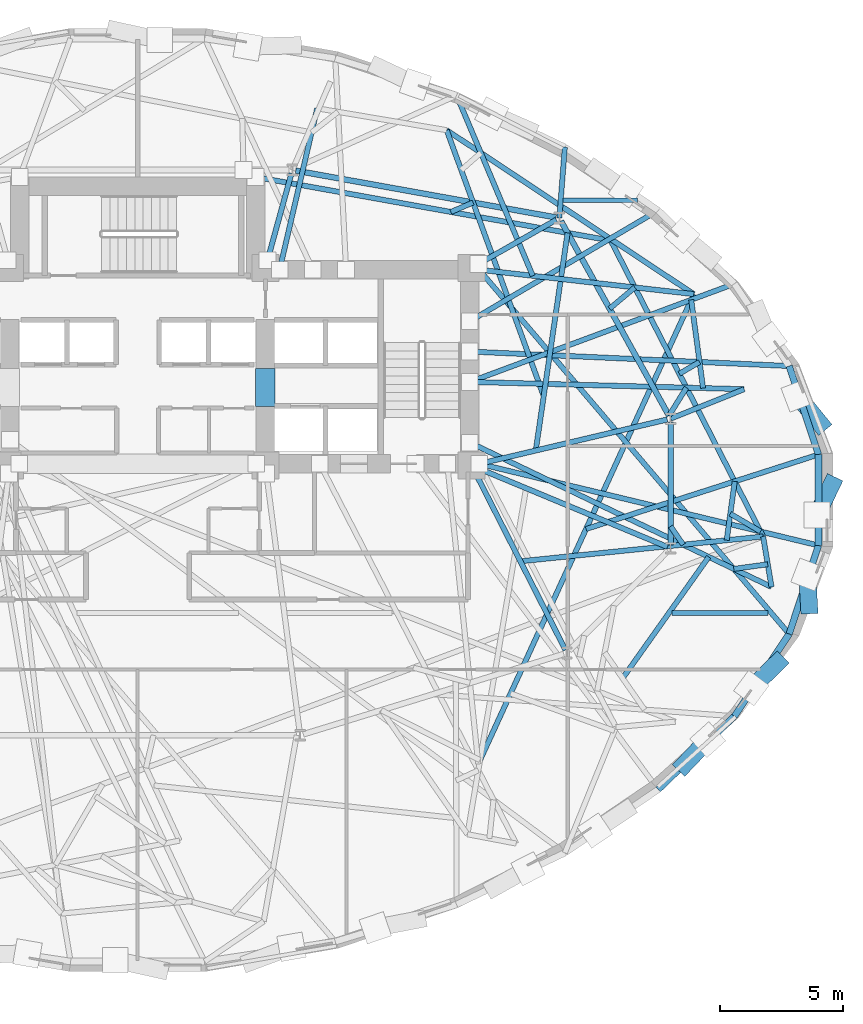
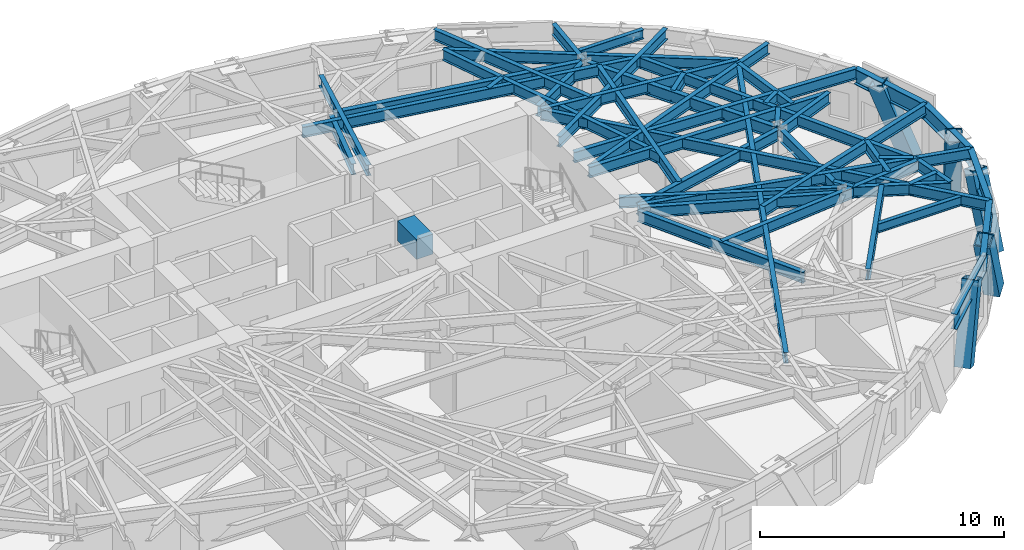
# One storey, part 5 of 17: 47 beams, 5 members.
"""IFC4 building model written with IfcOpenShell, lengths in metres."""

import ifcopenshell
import ifcopenshell.guid

model = None  # the IFC model being written
_history = None  # IfcOwnerHistory: only IFC2X3 demands one
_inside = {}  # id of a spatial element -> (the spatial element, [elements in it])
_under = {}  # id of a project, library or spatial element -> (it, [spatial elements below it])
_declared = {}  # id of a project -> (the project, [libraries it declares])
_typed = {}  # id of a type object -> (the type object, [elements of that type])
_made_of = {}  # id of a material, layer set ... -> (it, [elements and type objects made of it])


def new_model(schema):
    """Start an empty IFC model of exactly this schema.

    Asked for "IFC4X3", IfcOpenShell would pick the latest addendum, in which some entities
    have other attributes; the version numbers below select the first issue.
    IFC2X3 requires an IfcOwnerHistory on every rooted entity: one is made here for all.
    """
    global model, _history
    if schema == "IFC4X3":
        model = ifcopenshell.file(schema_version=(4, 3, 0, 0))
    else:
        model = ifcopenshell.file(schema=schema)
    _inside.clear()
    _under.clear()
    _declared.clear()
    _typed.clear()
    _made_of.clear()
    _history = None
    if model.schema == "IFC2X3":
        org = make("IfcOrganization", Name="unknown")
        user = make(
            "IfcPersonAndOrganization",
            ThePerson=make("IfcPerson", FamilyName="unknown"),
            TheOrganization=org,
        )
        app = make(
            "IfcApplication",
            ApplicationDeveloper=org,
            Version="unknown",
            ApplicationFullName="unknown",
            ApplicationIdentifier="unknown",
        )
        _history = make(
            "IfcOwnerHistory",
            OwningUser=user,
            OwningApplication=app,
            ChangeAction="ADDED",
            CreationDate=0,
        )
    return model


def make(cls, **values):
    """One entity of the class cls with the attributes given. An attribute that is None is left unset."""
    return model.create_entity(
        cls, **{name: value for name, value in values.items() if value is not None}
    )


def rooted(cls, **values):
    """An entity with a GlobalId (a new one), such as an element, a storey or a relation."""
    return make(cls, GlobalId=ifcopenshell.guid.new(), OwnerHistory=_history, **values)


def si_unit(unit_type, name, prefix=None):
    """IfcSIUnit, for example si_unit("LENGTHUNIT", "METRE", prefix="MILLI")."""
    return make("IfcSIUnit", UnitType=unit_type, Prefix=prefix, Name=name)


def assignment(units):
    """IfcUnitAssignment: the units of a project."""
    return None if units is None else make("IfcUnitAssignment", Units=units)


def point(xyz):
    """IfcCartesianPoint."""
    return None if xyz is None else make("IfcCartesianPoint", Coordinates=xyz)


def direction(xyz):
    """IfcDirection."""
    return None if xyz is None else make("IfcDirection", DirectionRatios=xyz)


def frame(location, z_axis=None, x_axis=None):
    """IfcAxis2Placement3D, a coordinate frame: its origin and axes. An axis left out is left unset."""
    return make(
        "IfcAxis2Placement3D",
        Location=point(location),
        Axis=direction(z_axis),
        RefDirection=direction(x_axis),
    )


def frame_2d(location, x_axis=None):
    """IfcAxis2Placement2D, a coordinate frame in the plane: its origin and x axis."""
    return make(
        "IfcAxis2Placement2D", Location=point(location), RefDirection=direction(x_axis)
    )


def origin():
    """The frame at (0, 0, 0) with its axes left unset."""
    return frame((0.0, 0.0, 0.0))


def origin_2d():
    """The frame at (0, 0) in the plane with its x axis left unset."""
    return frame_2d((0.0, 0.0))


def place(relative_to, where):
    """IfcLocalPlacement: puts the frame where relative to a parent placement (None: the world)."""
    return make(
        "IfcLocalPlacement", PlacementRelTo=relative_to, RelativePlacement=where
    )


def context(
    kind, dimensions, precision=None, world=None, true_north=None, identifier=None
):
    """IfcGeometricRepresentationContext, for example the 3D "Model" context."""
    return make(
        "IfcGeometricRepresentationContext",
        ContextIdentifier=identifier,
        ContextType=kind,
        CoordinateSpaceDimension=dimensions,
        Precision=precision,
        WorldCoordinateSystem=world,
        TrueNorth=true_north,
    )


def subcontext(parent, identifier, kind, view, scale=None):
    """IfcGeometricRepresentationSubContext, for example "Body" below "Model"."""
    return make(
        "IfcGeometricRepresentationSubContext",
        ContextIdentifier=identifier,
        ContextType=kind,
        ParentContext=parent,
        TargetScale=scale,
        TargetView=view,
    )


def project(units=None, contexts=None):
    """IfcProject with its units and contexts."""
    return rooted(
        "IfcProject",
        Name="project",
        RepresentationContexts=contexts,
        UnitsInContext=assignment(units),
    )


def spatial(cls, under=None, at=None, **own):
    """A site, building, storey or space (cls), placed at a placement, below another one or the project."""
    s = rooted(cls, ObjectPlacement=at, **own)
    if under is not None:
        _under.setdefault(under.id(), (under, []))[1].append(s)
    return s


def profile(cls, at=None, kind="AREA", **sizes):
    """A parametric profile (cls). Its sizes go by their IFC names, for example OverallWidth=200.0."""
    return make(cls, ProfileType=kind, Position=at, **sizes)


def rectangle(**sizes):
    """IfcRectangleProfileDef."""
    return profile("IfcRectangleProfileDef", **sizes)


def hollow_rectangle(**sizes):
    """IfcRectangleHollowProfileDef."""
    return profile("IfcRectangleHollowProfileDef", **sizes)


def i_section(**sizes):
    """IfcIShapeProfileDef."""
    return profile("IfcIShapeProfileDef", **sizes)


def extrude(swept, where, along, depth):
    """IfcExtrudedAreaSolid: the profile swept, set in the frame where, extruded along a direction by depth."""
    return make(
        "IfcExtrudedAreaSolid",
        SweptArea=swept,
        Position=where,
        ExtrudedDirection=direction(along),
        Depth=depth,
    )


def shape(context_of_items, identifier, shape_type, items):
    """IfcShapeRepresentation: the items that make up one representation, for example the "Body"."""
    return make(
        "IfcShapeRepresentation",
        ContextOfItems=context_of_items,
        RepresentationIdentifier=identifier,
        RepresentationType=shape_type,
        Items=items,
    )


def material(Name=None, Category=None):
    """IfcMaterial."""
    return make("IfcMaterial", Name=Name, Category=Category)


def material_profile(
    of_material, cross_section, Name=None, Category=None, Priority=None
):
    """IfcMaterialProfile: a cross section and its material."""
    return make(
        "IfcMaterialProfile",
        Name=Name,
        Material=of_material,
        Profile=cross_section,
        Priority=Priority,
        Category=Category,
    )


def profile_set(profiles, Name=None, composite=None):
    """IfcMaterialProfileSet."""
    return make(
        "IfcMaterialProfileSet",
        Name=Name,
        MaterialProfiles=profiles,
        CompositeProfile=composite,
    )


def made_of(thing, what):
    """Note that an element or type object is made of a material, layer set ...; save() writes the relation."""
    if what is not None:
        _made_of.setdefault(what.id(), (what, []))[1].append(thing)
    return thing


def type_object(cls, material=None, **own):
    """A type object (cls), such as IfcWallType, which elements share."""
    return made_of(rooted(cls, **own), material)


def element(
    cls,
    number,
    at=None,
    inside=None,
    cuts=None,
    type_object=None,
    material=None,
    context=None,
    identifier="Body",
    shape_type=None,
    held_by="IfcProductDefinitionShape",
    body=None,
    shapes=None,
    **own,
):
    """One element of the class cls, such as IfcWall. Its Tag is "e" and its number.

    at: its placement. inside: the storey or other place that contains it. cuts: it is an
    opening in that element (IfcRelVoidsElement). A single representation is given by context,
    identifier, shape_type and body (its items); several are given by shapes. held_by: the class
    of the entity that holds the representations. save() writes the other relations.
    """
    e = rooted(cls, Tag="e%d" % number, ObjectPlacement=at, **own)
    if body is not None:
        shapes = [shape(context, identifier, shape_type, body)]
    if shapes is not None:
        e.Representation = make(held_by, Representations=shapes)
    if inside is not None:
        _inside.setdefault(inside.id(), (inside, []))[1].append(e)
    if cuts is not None:
        rooted(
            "IfcRelVoidsElement", RelatingBuildingElement=cuts, RelatedOpeningElement=e
        )
    if type_object is not None:
        _typed.setdefault(type_object.id(), (type_object, []))[1].append(e)
    return made_of(e, material)


def aggregate(whole, parts):
    """IfcRelAggregates: a whole, such as a stair, and the parts it consists of."""
    return rooted("IfcRelAggregates", RelatingObject=whole, RelatedObjects=parts)


def save(model, path):
    """Write the relations noted so far, then the file.

    IfcRelAggregates (storeys below a building ...), IfcRelContainedInSpatialStructure (elements
    in a storey), IfcRelDefinesByType, IfcRelAssociatesMaterial and IfcRelDeclares: one each for
    every whole, place, type object, material and project.
    """
    for whole, parts in _under.values():
        aggregate(whole, parts)
    for where, things in _inside.values():
        rooted(
            "IfcRelContainedInSpatialStructure",
            RelatedElements=things,
            RelatingStructure=where,
        )
    for kind, things in _typed.values():
        rooted("IfcRelDefinesByType", RelatedObjects=things, RelatingType=kind)
    for what, things in _made_of.values():
        rooted("IfcRelAssociatesMaterial", RelatedObjects=things, RelatingMaterial=what)
    for by, libraries in _declared.values():
        rooted("IfcRelDeclares", RelatingContext=by, RelatedDefinitions=libraries)
    model.write(path)


model = new_model("IFC4")

# Units and contexts
model_context = context("Model", 3, precision=1e-05, world=origin(), true_north=direction((0.0, 1.0)))
body_context = subcontext(model_context, "Body", "Model", "MODEL_VIEW")
ifc_project = project(units=[si_unit("LENGTHUNIT", "METRE"), si_unit("AREAUNIT", "SQUARE_METRE"), si_unit("VOLUMEUNIT", "CUBIC_METRE"), si_unit("PLANEANGLEUNIT", "RADIAN"), si_unit("MASSUNIT", "GRAM", prefix="KILO")], contexts=[model_context])

# Site, building, storey
site_placement = place(None, origin())
site = spatial("IfcSite", under=ifc_project, at=site_placement, CompositionType="ELEMENT")
building_placement = place(site_placement, origin())
building = spatial("IfcBuilding", under=site, at=building_placement, Name="Keldmark Tower", CompositionType="ELEMENT")
storey_placement = place(building_placement, frame((0.0, 0.0, 96.60009765625)))
storey = spatial("IfcBuildingStorey", under=building, at=storey_placement, Name="L25", CompositionType="ELEMENT", Elevation=96.60009765625)

# Beams
ifc_material_1 = material(Name="Steel ASTM A992 Grade 50", Category="steel")
ifc_material_profile_1 = material_profile(ifc_material_1, i_section(OverallWidth=0.19091796875, OverallDepth=0.45703125, WebThickness=0.009033203125, FlangeThickness=0.014404296875, at=origin_2d()), Name="W18X50")
ifc_profile_set_1 = profile_set([ifc_material_profile_1], Name="Steel ASTM A992 Grade 50")
beam_type_1 = type_object("IfcBeamType", Name="Composite Floor Joist W18X50", PredefinedType="JOIST", material=ifc_profile_set_1)
beam_1_placement = place(storey_placement, frame((21.74658203125, -4.60009765625, 3.081298828125), z_axis=(1.0, 0.0, 0.0), x_axis=(0.0, 1.0, 0.0)))
element("IfcBeam", 1, at=beam_1_placement, inside=storey, type_object=beam_type_1, Name="L25 Composite Floor Joist J07", PredefinedType="JOIST", context=body_context, shape_type="SweptSolid", body=[
    extrude(i_section(OverallWidth=0.19091796875, OverallDepth=0.45703125, WebThickness=0.009033203125, FlangeThickness=0.014404296875, at=origin_2d()), origin(), (0.0, 0.0, 1.0), 3.92138671875),
])
beam_2_placement = place(storey_placement, frame((17.319091796875, 12.199951171875, 3.081298828125), z_axis=(1.0, 0.0, 0.0), x_axis=(0.0, 1.0, 0.0)))
element("IfcBeam", 2, at=beam_2_placement, inside=storey, type_object=beam_type_1, Name="L25 Composite Floor Joist J10", PredefinedType="JOIST", context=body_context, shape_type="SweptSolid", body=[
    extrude(i_section(OverallWidth=0.19091796875, OverallDepth=0.45703125, WebThickness=0.009033203125, FlangeThickness=0.014404296875, at=origin_2d()), origin(), (0.0, 0.0, 1.0), 3.036865234375),
])
ifc_material_2 = material(Name="Concrete C70/85", Category="concrete")
ifc_material_profile_2 = material_profile(ifc_material_2, rectangle(XDim=0.800048828125, YDim=1.0, at=origin_2d()), Name="RCB800X1000")
ifc_profile_set_2 = profile_set([ifc_material_profile_2], Name="Concrete C70/85")
beam_type_2 = type_object("IfcBeamType", Name="Core Coupling Beam RCB800X1000", PredefinedType="USERDEFINED", material=ifc_profile_set_2)
beam_3_placement = place(storey_placement, frame((5.199951171875, 3.800048828125, 2.809814453125), z_axis=(0.0, 1.0, 0.0), x_axis=(-1.0, 0.0, 0.0)))
element("IfcBeam", 3, at=beam_3_placement, inside=storey, type_object=beam_type_2, Name="L25 East Core Coupling Beam", ObjectType="COUPLING BEAM", PredefinedType="USERDEFINED", context=body_context, shape_type="SweptSolid", body=[
    extrude(rectangle(XDim=0.800048828125, YDim=1.0, at=origin_2d()), origin(), (0.0, 0.0, 1.0), 1.550048828125),
])

# Members
ifc_material_3 = material(Name="Steel ASTM A572 Grade 50", Category="steel")
ifc_material_profile_3 = material_profile(ifc_material_3, hollow_rectangle(XDim=0.699951171875, YDim=0.699951171875, WallThickness=0.054931640625, at=origin_2d()), Name="BOX700X700X55")
ifc_profile_set_3 = profile_set([ifc_material_profile_3], Name="Steel ASTM A572 Grade 50")
member_type = type_object("IfcMemberType", Name="Diagrid Zone 1 Brace BOX700X700X55", PredefinedType="BRACE", material=ifc_profile_set_3)
member_1_placement = place(storey_placement, frame((27.790771484375, 3.099853515625, -0.27001953125), z_axis=(-0.247255490472, 0.304948438249, 0.919712548811), x_axis=(-0.77675574872, -0.629801958421, 0.0)))
element("IfcMember", 4, at=member_1_placement, inside=storey, type_object=member_type, Name="L25 Perimeter Diagrid Brace 01A", PredefinedType="BRACE", context=body_context, shape_type="SweptSolid", body=[
    extrude(hollow_rectangle(XDim=0.699951171875, YDim=0.699951171875, WallThickness=0.054931640625, at=origin_2d()), origin(), (0.0, 0.0, 1.0), 3.761962890625),
])
member_2_placement = place(storey_placement, frame((22.24267578125, -10.779541015625, -0.27001953125), z_axis=(0.259558143664, 0.273023008331, 0.926330398389), x_axis=(-0.72475245975, 0.689009341074, 0.0)))
element("IfcMember", 5, at=member_2_placement, inside=storey, type_object=member_type, Name="L25 Perimeter Diagrid Brace 15A", PredefinedType="BRACE", context=body_context, shape_type="SweptSolid", body=[
    extrude(hollow_rectangle(XDim=0.699951171875, YDim=0.699951171875, WallThickness=0.054931640625, at=origin_2d()), origin(), (0.0, 0.0, 1.0), 3.735107421875),
])
member_3_placement = place(storey_placement, frame((26.052490234375, -6.617431640625, -0.27001953125), z_axis=(-0.283737637984, -0.276156614087, 0.918275817654), x_axis=(0.697468552971, -0.716615390301, 0.0)))
element("IfcMember", 6, at=member_3_placement, inside=storey, type_object=member_type, Name="L25 Perimeter Diagrid Brace 15B", PredefinedType="BRACE", context=body_context, shape_type="SweptSolid", body=[
    extrude(hollow_rectangle(XDim=0.699951171875, YDim=0.699951171875, WallThickness=0.054931640625, at=origin_2d()), origin(), (0.0, 0.0, 1.0), 3.767822265625),
])
member_4_placement = place(storey_placement, frame((27.330810546875, -4.3037109375, -0.27001953125), z_axis=(-0.019074582468, 0.34440218345, 0.93862841228), x_axis=(-0.998469791675, -0.055299865385, 0.0)))
element("IfcMember", 7, at=member_4_placement, inside=storey, type_object=member_type, Name="L25 Perimeter Diagrid Brace 16A", PredefinedType="BRACE", context=body_context, shape_type="SweptSolid", body=[
    extrude(hollow_rectangle(XDim=0.699951171875, YDim=0.699951171875, WallThickness=0.054931640625, at=origin_2d()), origin(), (0.0, 0.0, 1.0), 3.686279296875),
])
member_5_placement = place(storey_placement, frame((28.2529296875, 0.635986328125, -0.27001953125), z_axis=(-0.160209919925, -0.334638879777, 0.928627805797), x_axis=(0.901960796712, -0.431817925976, 0.0)))
element("IfcMember", 8, at=member_5_placement, inside=storey, type_object=member_type, Name="L25 Perimeter Diagrid Brace 16B", PredefinedType="BRACE", context=body_context, shape_type="SweptSolid", body=[
    extrude(hollow_rectangle(XDim=0.699951171875, YDim=0.699951171875, WallThickness=0.054931640625, at=origin_2d()), origin(), (0.0, 0.0, 1.0), 3.725830078125),
])

# Beams
ifc_material_4 = material(Name="Steel ASTM A992 Grade 50", Category="steel")
ifc_material_profile_4 = material_profile(ifc_material_4, i_section(OverallWidth=0.22900390625, OverallDepth=0.612060546875, WebThickness=0.011962890625, FlangeThickness=0.01953125, at=origin_2d()), Name="W24X84")
ifc_profile_set_4 = profile_set([ifc_material_profile_4], Name="Steel ASTM A992 Grade 50")
beam_type_3 = type_object("IfcBeamType", Name="Primary Floor Girder W24X84", PredefinedType="BEAM", material=ifc_profile_set_4)
beam_4_placement = place(storey_placement, frame((21.62890625, 3.432373046875, 3.00390625), z_axis=(-0.484951836703, 0.874540860154, 0.0), x_axis=(-0.874540860154, -0.484951836703, 0.0)))
element("IfcBeam", 9, at=beam_4_placement, inside=storey, type_object=beam_type_3, Name="L25 Floor Ring Girder FG-R01", PredefinedType="BEAM", context=body_context, shape_type="SweptSolid", body=[
    extrude(i_section(OverallWidth=0.22900390625, OverallDepth=0.612060546875, WebThickness=0.011962890625, FlangeThickness=0.01953125, at=origin_2d()), origin(), (0.0, 0.0, 1.0), 9.060302734375),
])
beam_5_placement = place(storey_placement, frame((17.029296875, 11.503173828125, 3.00390625), z_axis=(-0.984218266992, 0.176958760505, 0.0), x_axis=(-0.176958760505, -0.984218266992, 0.0)))
element("IfcBeam", 10, at=beam_5_placement, inside=storey, type_object=beam_type_3, Name="L25 Floor Ring Girder FG-R02", PredefinedType="BEAM", context=body_context, shape_type="SweptSolid", body=[
    extrude(i_section(OverallWidth=0.22900390625, OverallDepth=0.612060546875, WebThickness=0.011962890625, FlangeThickness=0.01953125, at=origin_2d()), origin(), (0.0, 0.0, 1.0), 10.7626953125),
])
beam_6_placement = place(storey_placement, frame((21.697021484375, -1.825927734375, 3.00390625), z_axis=(0.0, 1.0, 0.0), x_axis=(-1.0, 0.0, 0.0)))
element("IfcBeam", 11, at=beam_6_placement, inside=storey, type_object=beam_type_3, Name="L25 Floor Ring Girder FG-R12", PredefinedType="BEAM", context=body_context, shape_type="SweptSolid", body=[
    extrude(i_section(OverallWidth=0.22900390625, OverallDepth=0.612060546875, WebThickness=0.011962890625, FlangeThickness=0.01953125, at=origin_2d()), origin(), (0.0, 0.0, 1.0), 4.995849609375),
])
ifc_material_5 = material(Name="Steel ASTM A992 Grade 50", Category="steel")
ifc_material_profile_5 = material_profile(ifc_material_5, i_section(OverallWidth=0.2099609375, OverallDepth=0.537109375, WebThickness=0.010986328125, FlangeThickness=0.017333984375, at=origin_2d()), Name="W21X68")
ifc_profile_set_5 = profile_set([ifc_material_profile_5], Name="Steel ASTM A992 Grade 50")
beam_type_4 = type_object("IfcBeamType", Name="Radial Tie Girder W21X68", PredefinedType="BEAM", material=ifc_profile_set_5)
beam_7_placement = place(storey_placement, frame((16.206298828125, 2.014892578125, 3.04150390625), z_axis=(0.144668966659, 0.989480111011, 0.0), x_axis=(-0.989480111011, 0.144668966659, 0.0)))
element("IfcBeam", 12, at=beam_7_placement, inside=storey, type_object=beam_type_4, Name="L25 Framing Pin Header PH-001", PredefinedType="BEAM", context=body_context, shape_type="SweptSolid", body=[
    extrude(i_section(OverallWidth=0.2099609375, OverallDepth=0.537109375, WebThickness=0.010986328125, FlangeThickness=0.017333984375, at=origin_2d()), origin(), (0.0, 0.0, 1.0), 8.954345703125),
])
beam_8_placement = place(storey_placement, frame((4.800048828125, 13.14990234375, 3.04150390625), z_axis=(0.984336944595, -0.176297417749, 0.0), x_axis=(0.176297417749, 0.984336944595, 0.0)))
element("IfcBeam", 13, at=beam_8_placement, inside=storey, type_object=beam_type_4, Name="L25 Sub-Ring Step Girder STP1-M01", PredefinedType="BEAM", context=body_context, shape_type="SweptSolid", body=[
    extrude(i_section(OverallWidth=0.2099609375, OverallDepth=0.537109375, WebThickness=0.010986328125, FlangeThickness=0.017333984375, at=origin_2d()), origin(), (0.0, 0.0, 1.0), 14.688720703125),
])
beam_9_placement = place(storey_placement, frame((21.697021484375, -1.076416015625, 3.04150390625), z_axis=(0.566712846815, -0.823915377484, 0.0), x_axis=(0.823915377484, 0.566712846815, 0.0)))
element("IfcBeam", 14, at=beam_9_placement, inside=storey, type_object=beam_type_4, Name="L25 Framing Pin Header PH-007", PredefinedType="BEAM", context=body_context, shape_type="SweptSolid", body=[
    extrude(i_section(OverallWidth=0.2099609375, OverallDepth=0.537109375, WebThickness=0.010986328125, FlangeThickness=0.017333984375, at=origin_2d()), origin(), (0.0, 0.0, 1.0), 0.90087890625),
])
beam_10_placement = place(storey_placement, frame((15.57958984375, -2.4951171875, 3.04150390625), z_axis=(0.994834649081, 0.101508723705, 0.0), x_axis=(-0.101508723705, 0.994834649081, 0.0)))
element("IfcBeam", 15, at=beam_10_placement, inside=storey, type_object=beam_type_4, Name="L25 Sub-Ring Step Girder STP1-M12", PredefinedType="BEAM", context=body_context, shape_type="SweptSolid", body=[
    extrude(i_section(OverallWidth=0.2099609375, OverallDepth=0.537109375, WebThickness=0.010986328125, FlangeThickness=0.017333984375, at=origin_2d()), origin(), (0.0, 0.0, 1.0), 9.93310546875),
])
beam_11_placement = place(storey_placement, frame((25.46142578125, -1.48681640625, 3.04150390625), z_axis=(-0.457755076319, 0.889078337439, 0.0), x_axis=(-0.889078337439, -0.457755076319, 0.0)))
element("IfcBeam", 16, at=beam_11_placement, inside=storey, type_object=beam_type_4, Name="L25 Perimeter Collector Ring Beam CRG1-M12", PredefinedType="BEAM", context=body_context, shape_type="SweptSolid", body=[
    extrude(i_section(OverallWidth=0.2099609375, OverallDepth=0.537109375, WebThickness=0.010986328125, FlangeThickness=0.017333984375, at=origin_2d()), origin(), (0.0, 0.0, 1.0), 13.550048828125),
])
beam_12_placement = place(storey_placement, frame((19.21240234375, 7.790283203125, 3.04150390625), z_axis=(0.76581591472, 0.643059860947, 0.0), x_axis=(-0.643059860947, 0.76581591472, 0.0)))
element("IfcBeam", 17, at=beam_12_placement, inside=storey, type_object=beam_type_4, Name="L25 Framing Pin Header PH-008", PredefinedType="BEAM", context=body_context, shape_type="SweptSolid", body=[
    extrude(i_section(OverallWidth=0.2099609375, OverallDepth=0.537109375, WebThickness=0.010986328125, FlangeThickness=0.017333984375, at=origin_2d()), origin(), (0.0, 0.0, 1.0), 1.342529296875),
])
beam_13_placement = place(storey_placement, frame((13.89990234375, 9.375, 3.04150390625), z_axis=(0.993589889236, -0.113044823008, 0.0), x_axis=(0.113044823008, 0.993589889236, 0.0)))
element("IfcBeam", 18, at=beam_13_placement, inside=storey, type_object=beam_type_4, Name="L25 Sub-Ring Step Girder STP2-M01", PredefinedType="BEAM", context=body_context, shape_type="SweptSolid", body=[
    extrude(i_section(OverallWidth=0.2099609375, OverallDepth=0.537109375, WebThickness=0.010986328125, FlangeThickness=0.017333984375, at=origin_2d()), origin(), (0.0, 0.0, 1.0), 8.79638671875),
])
beam_14_placement = place(storey_placement, frame((12.752197265625, 11.7255859375, 3.04150390625), z_axis=(0.920286144386, 0.391245974357, 0.0), x_axis=(-0.391245974357, 0.920286144386, 0.0)))
element("IfcBeam", 19, at=beam_14_placement, inside=storey, type_object=beam_type_4, Name="L25 Framing Pin Header PH-009", PredefinedType="BEAM", context=body_context, shape_type="SweptSolid", body=[
    extrude(i_section(OverallWidth=0.2099609375, OverallDepth=0.537109375, WebThickness=0.010986328125, FlangeThickness=0.017333984375, at=origin_2d()), origin(), (0.0, 0.0, 1.0), 0.9814453125),
])
beam_15_placement = place(storey_placement, frame((16.530029296875, 4.22998046875, 3.04150390625), z_axis=(-0.342719452961, 0.939437798134, 0.0), x_axis=(-0.939437798134, -0.342719452961, 0.0)))
element("IfcBeam", 20, at=beam_15_placement, inside=storey, type_object=beam_type_4, Name="L25 Sub-Ring Step Girder STP2-M02", PredefinedType="BEAM", context=body_context, shape_type="SweptSolid", body=[
    extrude(i_section(OverallWidth=0.2099609375, OverallDepth=0.537109375, WebThickness=0.010986328125, FlangeThickness=0.017333984375, at=origin_2d()), origin(), (0.0, 0.0, 1.0), 11.521728515625),
])
beam_16_placement = place(storey_placement, frame((22.639892578125, 8.380615234375, 3.04150390625), z_axis=(-0.833286637713, 0.552841188234, 0.0), x_axis=(-0.552841188234, -0.833286637713, 0.0)))
element("IfcBeam", 21, at=beam_16_placement, inside=storey, type_object=beam_type_4, Name="L25 Perimeter Collector Ring Beam CRG2-M01", PredefinedType="BEAM", context=body_context, shape_type="SweptSolid", body=[
    extrude(i_section(OverallWidth=0.2099609375, OverallDepth=0.537109375, WebThickness=0.010986328125, FlangeThickness=0.017333984375, at=origin_2d()), origin(), (0.0, 0.0, 1.0), 12.071044921875),
])
beam_17_placement = place(storey_placement, frame((13.866455078125, -10.743896484375, 3.04150390625), z_axis=(0.416970317331, 0.908920103455, 0.0), x_axis=(-0.908920103455, 0.416970317331, 0.0)))
element("IfcBeam", 22, at=beam_17_placement, inside=storey, type_object=beam_type_4, Name="L25 Perimeter Collector Ring Beam CRG2-M11", PredefinedType="BEAM", context=body_context, shape_type="SweptSolid", body=[
    extrude(i_section(OverallWidth=0.2099609375, OverallDepth=0.537109375, WebThickness=0.010986328125, FlangeThickness=0.017333984375, at=origin_2d()), origin(), (0.0, 0.0, 1.0), 21.041015625),
])
beam_18_placement = place(storey_placement, frame((23.97900390625, -1.637939453125, 3.04150390625), z_axis=(0.135198813671, 0.990818490331, 0.0), x_axis=(-0.990818490331, 0.135198813671, 0.0)))
element("IfcBeam", 23, at=beam_18_placement, inside=storey, type_object=beam_type_4, Name="L25 Framing Pin Header PH-015", PredefinedType="BEAM", context=body_context, shape_type="SweptSolid", body=[
    extrude(i_section(OverallWidth=0.2099609375, OverallDepth=0.537109375, WebThickness=0.010986328125, FlangeThickness=0.017333984375, at=origin_2d()), origin(), (0.0, 0.0, 1.0), 2.41796875),
])
beam_19_placement = place(storey_placement, frame((18.253173828125, -1.181640625, 3.04150390625), z_axis=(0.952301970489, 0.305157266015, 0.0), x_axis=(-0.305157266015, 0.952301970489, 0.0)))
element("IfcBeam", 24, at=beam_19_placement, inside=storey, type_object=beam_type_4, Name="L25 Perimeter Radial Tie Girder RT-01", PredefinedType="BEAM", context=body_context, shape_type="SweptSolid", body=[
    extrude(i_section(OverallWidth=0.2099609375, OverallDepth=0.537109375, WebThickness=0.010986328125, FlangeThickness=0.017333984375, at=origin_2d()), origin(), (0.0, 0.0, 1.0), 9.9365234375),
])
beam_20_placement = place(storey_placement, frame((21.62890625, 3.432373046875, 3.04150390625), z_axis=(0.529656264599, 0.848212379874, 0.0), x_axis=(-0.848212379874, 0.529656264599, 0.0)))
element("IfcBeam", 25, at=beam_20_placement, inside=storey, type_object=beam_type_4, Name="L25 Framing Pin Header PH-016", PredefinedType="BEAM", context=body_context, shape_type="SweptSolid", body=[
    extrude(i_section(OverallWidth=0.2099609375, OverallDepth=0.537109375, WebThickness=0.010986328125, FlangeThickness=0.017333984375, at=origin_2d()), origin(), (0.0, 0.0, 1.0), 1.344970703125),
])
beam_21_placement = place(storey_placement, frame((13.52490234375, 4.80712890625, 3.04150390625), z_axis=(0.999648483101, -0.026512454303, 0.0), x_axis=(0.026512454303, 0.999648483101, 0.0)))
element("IfcBeam", 26, at=beam_21_placement, inside=storey, type_object=beam_type_4, Name="L25 Intermediate Radial Step Girder RT-02M", PredefinedType="BEAM", context=body_context, shape_type="SweptSolid", body=[
    extrude(i_section(OverallWidth=0.2099609375, OverallDepth=0.537109375, WebThickness=0.010986328125, FlangeThickness=0.017333984375, at=origin_2d()), origin(), (0.0, 0.0, 1.0), 11.169921875),
])
beam_22_placement = place(storey_placement, frame((21.697021484375, 3.309814453125, 3.04150390625), z_axis=(0.928089948951, 0.372356075091, 0.0), x_axis=(-0.372356075091, 0.928089948951, 0.0)))
element("IfcBeam", 27, at=beam_22_placement, inside=storey, type_object=beam_type_4, Name="L25 Local Collector Chord RT-02C", PredefinedType="BEAM", context=body_context, shape_type="SweptSolid", body=[
    extrude(i_section(OverallWidth=0.2099609375, OverallDepth=0.537109375, WebThickness=0.010986328125, FlangeThickness=0.017333984375, at=origin_2d()), origin(), (0.0, 0.0, 1.0), 3.225830078125),
])
beam_23_placement = place(storey_placement, frame((23.01611328125, 4.555419921875, 3.04150390625), z_axis=(-0.132886845037, 0.991131215539, 0.0), x_axis=(-0.991131215539, -0.132886845037, 0.0)))
element("IfcBeam", 28, at=beam_23_placement, inside=storey, type_object=beam_type_4, Name="L25 Framing Pin Header PH-017", PredefinedType="BEAM", context=body_context, shape_type="SweptSolid", body=[
    extrude(i_section(OverallWidth=0.2099609375, OverallDepth=0.537109375, WebThickness=0.010986328125, FlangeThickness=0.017333984375, at=origin_2d()), origin(), (0.0, 0.0, 1.0), 3.626708984375),
])
beam_24_placement = place(storey_placement, frame((13.52490234375, 4.80712890625, 3.04150390625), z_axis=(0.93754475098, 0.347864686206, 0.0), x_axis=(-0.347864686206, 0.93754475098, 0.0)))
element("IfcBeam", 29, at=beam_24_placement, inside=storey, type_object=beam_type_4, Name="L25 Perimeter Radial Tie Girder RT-03", PredefinedType="BEAM", context=body_context, shape_type="SweptSolid", body=[
    extrude(i_section(OverallWidth=0.2099609375, OverallDepth=0.537109375, WebThickness=0.010986328125, FlangeThickness=0.017333984375, at=origin_2d()), origin(), (0.0, 0.0, 1.0), 11.4853515625),
])
beam_25_placement = place(storey_placement, frame((13.52490234375, 7.278564453125, 3.04150390625), z_axis=(0.861869987835, 0.50712929719, 0.0), x_axis=(-0.50712929719, 0.861869987835, 0.0)))
element("IfcBeam", 30, at=beam_25_placement, inside=storey, type_object=beam_type_4, Name="L25 Perimeter Radial Tie Girder RT-04", PredefinedType="BEAM", context=body_context, shape_type="SweptSolid", body=[
    extrude(i_section(OverallWidth=0.2099609375, OverallDepth=0.537109375, WebThickness=0.010986328125, FlangeThickness=0.017333984375, at=origin_2d()), origin(), (0.0, 0.0, 1.0), 8.893310546875),
])
beam_26_placement = place(storey_placement, frame((17.1669921875, 11.478271484375, 3.04150390625), z_axis=(0.077006087343, 0.997030622655, 0.0), x_axis=(-0.997030622655, 0.077006087343, 0.0)))
element("IfcBeam", 31, at=beam_26_placement, inside=storey, type_object=beam_type_4, Name="L25 Perimeter Column Bracket RT-05", PredefinedType="BEAM", context=body_context, shape_type="SweptSolid", body=[
    extrude(i_section(OverallWidth=0.2099609375, OverallDepth=0.537109375, WebThickness=0.010986328125, FlangeThickness=0.017333984375, at=origin_2d()), origin(), (0.0, 0.0, 1.0), 2.89453125),
])
beam_27_placement = place(storey_placement, frame((16.0849609375, 9.12646484375, 3.04150390625), z_axis=(-0.389007281496, 0.921234679625, 0.0), x_axis=(-0.921234679625, -0.389007281496, 0.0)))
element("IfcBeam", 32, at=beam_27_placement, inside=storey, type_object=beam_type_4, Name="L25 Perimeter Radial Tie Girder RT-06", PredefinedType="BEAM", context=body_context, shape_type="SweptSolid", body=[
    extrude(i_section(OverallWidth=0.2099609375, OverallDepth=0.537109375, WebThickness=0.010986328125, FlangeThickness=0.017333984375, at=origin_2d()), origin(), (0.0, 0.0, 1.0), 7.96923828125),
])
beam_28_placement = place(storey_placement, frame((5.778564453125, 9.375, 3.04150390625), z_axis=(0.227013356971, 0.973891644772, 0.0), x_axis=(-0.973891644772, 0.227013356971, 0.0)))
element("IfcBeam", 33, at=beam_28_placement, inside=storey, type_object=beam_type_4, Name="L25 Intermediate Radial Step Girder RT-07M", PredefinedType="BEAM", context=body_context, shape_type="SweptSolid", body=[
    extrude(i_section(OverallWidth=0.2099609375, OverallDepth=0.537109375, WebThickness=0.010986328125, FlangeThickness=0.017333984375, at=origin_2d()), origin(), (0.0, 0.0, 1.0), 6.7451171875),
])
beam_29_placement = place(storey_placement, frame((19.7421875, -7.25732421875, 3.04150390625), z_axis=(0.578692534562, 0.815545799108, 0.0), x_axis=(-0.815545799108, 0.578692534562, 0.0)))
element("IfcBeam", 34, at=beam_29_placement, inside=storey, type_object=beam_type_4, Name="L25 Framing Pin Header PH-044", PredefinedType="BEAM", context=body_context, shape_type="SweptSolid", body=[
    extrude(i_section(OverallWidth=0.2099609375, OverallDepth=0.537109375, WebThickness=0.010986328125, FlangeThickness=0.017333984375, at=origin_2d()), origin(), (0.0, 0.0, 1.0), 6.057861328125),
])
beam_30_placement = place(storey_placement, frame((13.52490234375, 2.335693359375, 3.04150390625), z_axis=(0.90204710239, -0.431637608498, 0.0), x_axis=(0.431637608498, 0.90204710239, 0.0)))
element("IfcBeam", 35, at=beam_30_placement, inside=storey, type_object=beam_type_4, Name="L25 Intermediate Radial Step Girder RT-31M", PredefinedType="BEAM", context=body_context, shape_type="SweptSolid", body=[
    extrude(i_section(OverallWidth=0.2099609375, OverallDepth=0.537109375, WebThickness=0.010986328125, FlangeThickness=0.017333984375, at=origin_2d()), origin(), (0.0, 0.0, 1.0), 13.61376953125),
])
beam_31_placement = place(storey_placement, frame((25.46142578125, -1.48681640625, 3.04150390625), z_axis=(0.165083415203, -0.98627960844, 0.0), x_axis=(0.98627960844, 0.165083415203, 0.0)))
element("IfcBeam", 36, at=beam_31_placement, inside=storey, type_object=beam_type_4, Name="L25 Local Collector Chord RT-31C", PredefinedType="BEAM", context=body_context, shape_type="SweptSolid", body=[
    extrude(i_section(OverallWidth=0.2099609375, OverallDepth=0.537109375, WebThickness=0.010986328125, FlangeThickness=0.017333984375, at=origin_2d()), origin(), (0.0, 0.0, 1.0), 2.082275390625),
])
beam_32_placement = place(storey_placement, frame((25.650390625, -2.6162109375, 3.04150390625), z_axis=(-0.99083868224, -0.135050752594, 0.0), x_axis=(0.135050752594, -0.99083868224, 0.0)))
element("IfcBeam", 37, at=beam_32_placement, inside=storey, type_object=beam_type_4, Name="L25 Framing Pin Header PH-045", PredefinedType="BEAM", context=body_context, shape_type="SweptSolid", body=[
    extrude(i_section(OverallWidth=0.2099609375, OverallDepth=0.537109375, WebThickness=0.010986328125, FlangeThickness=0.017333984375, at=origin_2d()), origin(), (0.0, 0.0, 1.0), 1.3955078125),
])
beam_33_placement = place(storey_placement, frame((13.89990234375, 9.375, 3.04150390625), z_axis=(0.64818684665, -0.761481327302, 0.0), x_axis=(0.761481327302, 0.64818684665, 0.0)))
element("IfcBeam", 38, at=beam_33_placement, inside=storey, type_object=beam_type_4, Name="L25 Perimeter Radial Tie Girder RT-31", PredefinedType="BEAM", context=body_context, shape_type="SweptSolid", body=[
    extrude(i_section(OverallWidth=0.2099609375, OverallDepth=0.537109375, WebThickness=0.010986328125, FlangeThickness=0.017333984375, at=origin_2d()), origin(), (0.0, 0.0, 1.0), 19.47412109375),
])
beam_34_placement = place(storey_placement, frame((24.126220703125, -0.559814453125, 3.04150390625), z_axis=(0.862123315509, -0.506698518702, 0.0), x_axis=(0.506698518702, 0.862123315509, 0.0)))
element("IfcBeam", 39, at=beam_34_placement, inside=storey, type_object=beam_type_4, Name="L25 Framing Pin Header PH-046", PredefinedType="BEAM", context=body_context, shape_type="SweptSolid", body=[
    extrude(i_section(OverallWidth=0.2099609375, OverallDepth=0.537109375, WebThickness=0.010986328125, FlangeThickness=0.017333984375, at=origin_2d()), origin(), (0.0, 0.0, 1.0), 1.4267578125),
])
beam_35_placement = place(storey_placement, frame((13.89990234375, 1.47509765625, 3.04150390625), z_axis=(0.972229573355, -0.234029179152, 0.0), x_axis=(0.234029179152, 0.972229573355, 0.0)))
element("IfcBeam", 40, at=beam_35_placement, inside=storey, type_object=beam_type_4, Name="L25 Perimeter Radial Tie Girder RT-32", PredefinedType="BEAM", context=body_context, shape_type="SweptSolid", body=[
    extrude(i_section(OverallWidth=0.2099609375, OverallDepth=0.537109375, WebThickness=0.010986328125, FlangeThickness=0.017333984375, at=origin_2d()), origin(), (0.0, 0.0, 1.0), 14.21044921875),
])
beam_36_placement = place(storey_placement, frame((22.0498046875, 5.13916015625, 3.04150390625), z_axis=(0.863843915315, 0.503759555714, 0.0), x_axis=(-0.503759555714, 0.863843915315, 0.0)))
element("IfcBeam", 41, at=beam_36_placement, inside=storey, type_object=beam_type_4, Name="L25 Framing Pin Header PH-047", PredefinedType="BEAM", context=body_context, shape_type="SweptSolid", body=[
    extrude(i_section(OverallWidth=0.2099609375, OverallDepth=0.537109375, WebThickness=0.010986328125, FlangeThickness=0.017333984375, at=origin_2d()), origin(), (0.0, 0.0, 1.0), 0.953369140625),
])
beam_37_placement = place(storey_placement, frame((13.52490234375, 6.04296875, 3.04150390625), z_axis=(0.998975299612, -0.045258709267, 0.0), x_axis=(0.045258709267, 0.998975299612, 0.0)))
element("IfcBeam", 42, at=beam_37_placement, inside=storey, type_object=beam_type_4, Name="L25 Perimeter Radial Tie Girder RT-02R", PredefinedType="BEAM", context=body_context, shape_type="SweptSolid", body=[
    extrude(i_section(OverallWidth=0.2099609375, OverallDepth=0.537109375, WebThickness=0.010986328125, FlangeThickness=0.017333984375, at=origin_2d()), origin(), (0.0, 0.0, 1.0), 13.01123046875),
])
ifc_material_6 = material(Name="Steel ASTM A992 Grade 50", Category="steel")
ifc_material_profile_6 = material_profile(ifc_material_6, i_section(OverallWidth=0.214111328125, OverallDepth=0.549072265625, WebThickness=0.0146484375, FlangeThickness=0.023681640625, at=origin_2d()), Name="W21X93")
ifc_profile_set_6 = profile_set([ifc_material_profile_6], Name="Steel ASTM A992 Grade 50")
beam_type_5 = type_object("IfcBeamType", Name="Radial Tie Girder W21X93", PredefinedType="BEAM", material=ifc_profile_set_6)
beam_38_placement = place(storey_placement, frame((21.560546875, 3.27783203125, 3.035400390625), z_axis=(-0.973283778272, -0.229605502879, 0.0), x_axis=(0.229605502879, -0.973283778272, 0.0)))
element("IfcBeam", 43, at=beam_38_placement, inside=storey, type_object=beam_type_5, Name="L25 Floor Radial Girder FG-C01", PredefinedType="BEAM", context=body_context, shape_type="SweptSolid", body=[
    extrude(i_section(OverallWidth=0.214111328125, OverallDepth=0.549072265625, WebThickness=0.0146484375, FlangeThickness=0.023681640625, at=origin_2d()), origin(), (0.0, 0.0, 1.0), 7.85888671875),
])
beam_39_placement = place(storey_placement, frame((17.04541015625, 11.4091796875, 3.035400390625), z_axis=(-0.86928447329, -0.494312152892, 0.0), x_axis=(0.494312152892, -0.86928447329, 0.0)))
element("IfcBeam", 44, at=beam_39_placement, inside=storey, type_object=beam_type_5, Name="L25 Floor Radial Girder FG-C02", PredefinedType="BEAM", context=body_context, shape_type="SweptSolid", body=[
    extrude(i_section(OverallWidth=0.214111328125, OverallDepth=0.549072265625, WebThickness=0.0146484375, FlangeThickness=0.023681640625, at=origin_2d()), origin(), (0.0, 0.0, 1.0), 3.6435546875),
])
beam_40_placement = place(storey_placement, frame((6.26171875, 13.297607421875, 3.035400390625), z_axis=(-0.265997186795, -0.963973804944, 0.0), x_axis=(0.963973804944, -0.265997186795, 0.0)))
element("IfcBeam", 45, at=beam_40_placement, inside=storey, type_object=beam_type_5, Name="L25 Floor Radial Girder FG-C03", PredefinedType="BEAM", context=body_context, shape_type="SweptSolid", body=[
    extrude(i_section(OverallWidth=0.214111328125, OverallDepth=0.549072265625, WebThickness=0.0146484375, FlangeThickness=0.023681640625, at=origin_2d()), origin(), (0.0, 0.0, 1.0), 3.67138671875),
])
beam_41_placement = place(storey_placement, frame((17.413818359375, -6.104736328125, 3.035400390625), z_axis=(-0.453028637759, 0.891495963743, 0.0), x_axis=(-0.891495963743, -0.453028637759, 0.0)))
element("IfcBeam", 46, at=beam_41_placement, inside=storey, type_object=beam_type_5, Name="L25 Floor Radial Girder FG-C11", PredefinedType="BEAM", context=body_context, shape_type="SweptSolid", body=[
    extrude(i_section(OverallWidth=0.214111328125, OverallDepth=0.549072265625, WebThickness=0.0146484375, FlangeThickness=0.023681640625, at=origin_2d()), origin(), (0.0, 0.0, 1.0), 8.09814453125),
])
beam_42_placement = place(storey_placement, frame((21.567626953125, -1.912109375, 3.035400390625), z_axis=(-0.923397393633, 0.383845350932, 0.0), x_axis=(-0.383845350932, -0.923397393633, 0.0)))
element("IfcBeam", 47, at=beam_42_placement, inside=storey, type_object=beam_type_5, Name="L25 Floor Radial Girder FG-C12", PredefinedType="BEAM", context=body_context, shape_type="SweptSolid", body=[
    extrude(i_section(OverallWidth=0.214111328125, OverallDepth=0.549072265625, WebThickness=0.0146484375, FlangeThickness=0.023681640625, at=origin_2d()), origin(), (0.0, 0.0, 1.0), 8.30859375),
])
ifc_material_7 = material(Name="Steel ASTM A992 Grade 50", Category="steel")
ifc_material_profile_7 = material_profile(ifc_material_7, i_section(OverallWidth=0.26806640625, OverallDepth=0.77001953125, WebThickness=0.015625, FlangeThickness=0.025390625, at=origin_2d()), Name="W30X132")
ifc_profile_set_7 = profile_set([ifc_material_profile_7], Name="Steel ASTM A992 Grade 50")
beam_type_6 = type_object("IfcBeamType", Name="Spandrel Ring Beam W30X132", PredefinedType="SPANDREL", material=ifc_profile_set_7)
beam_43_placement = place(storey_placement, frame((27.7158203125, 1.8505859375, 2.9248046875), z_axis=(-0.314316911692, 0.94931811266, 0.0), x_axis=(-0.94931811266, -0.314316911692, 0.0)))
element("IfcBeam", 48, at=beam_43_placement, inside=storey, type_object=beam_type_6, Name="L25 Perimeter Spandrel Ring Beam SRB-01", PredefinedType="SPANDREL", context=body_context, shape_type="SweptSolid", body=[
    extrude(i_section(OverallWidth=0.26806640625, OverallDepth=0.77001953125, WebThickness=0.015625, FlangeThickness=0.025390625, at=origin_2d()), origin(), (0.0, 0.0, 1.0), 3.7958984375),
])
beam_44_placement = place(storey_placement, frame((21.189697265625, -11.78857421875, 2.9248046875), z_axis=(0.720581378362, 0.693370375166, 0.0), x_axis=(-0.693370375166, 0.720581378362, 0.0)))
element("IfcBeam", 49, at=beam_44_placement, inside=storey, type_object=beam_type_6, Name="L25 Perimeter Spandrel Ring Beam SRB-29", PredefinedType="SPANDREL", context=body_context, shape_type="SweptSolid", body=[
    extrude(i_section(OverallWidth=0.26806640625, OverallDepth=0.77001953125, WebThickness=0.015625, FlangeThickness=0.025390625, at=origin_2d()), origin(), (0.0, 0.0, 1.0), 4.306640625),
])
beam_45_placement = place(storey_placement, frame((24.29296875, -8.802490234375, 2.9248046875), z_axis=(0.554265966169, 0.832339617432, 0.0), x_axis=(-0.832339617432, 0.554265966169, 0.0)))
element("IfcBeam", 50, at=beam_45_placement, inside=storey, type_object=beam_type_6, Name="L25 Perimeter Spandrel Ring Beam SRB-30", PredefinedType="SPANDREL", context=body_context, shape_type="SweptSolid", body=[
    extrude(i_section(OverallWidth=0.26806640625, OverallDepth=0.77001953125, WebThickness=0.015625, FlangeThickness=0.025390625, at=origin_2d()), origin(), (0.0, 0.0, 1.0), 4.02294921875),
])
beam_46_placement = place(storey_placement, frame((26.522705078125, -5.4541015625, 2.9248046875), z_axis=(0.314316911692, 0.94931811266, 0.0), x_axis=(-0.94931811266, 0.314316911692, 0.0)))
element("IfcBeam", 51, at=beam_46_placement, inside=storey, type_object=beam_type_6, Name="L25 Perimeter Spandrel Ring Beam SRB-31", PredefinedType="SPANDREL", context=body_context, shape_type="SweptSolid", body=[
    extrude(i_section(OverallWidth=0.26806640625, OverallDepth=0.77001953125, WebThickness=0.015625, FlangeThickness=0.025390625, at=origin_2d()), origin(), (0.0, 0.0, 1.0), 3.7958984375),
])
beam_47_placement = place(storey_placement, frame((27.7158203125, -1.8505859375, 2.9248046875), z_axis=(0.0, 1.0, 0.0), x_axis=(-1.0, 0.0, 0.0)))
element("IfcBeam", 52, at=beam_47_placement, inside=storey, type_object=beam_type_6, Name="L25 Perimeter Spandrel Ring Beam SRB-32", PredefinedType="SPANDREL", context=body_context, shape_type="SweptSolid", body=[
    extrude(i_section(OverallWidth=0.26806640625, OverallDepth=0.77001953125, WebThickness=0.015625, FlangeThickness=0.025390625, at=origin_2d()), origin(), (0.0, 0.0, 1.0), 3.701171875),
])

save(model, "model.ifc")
